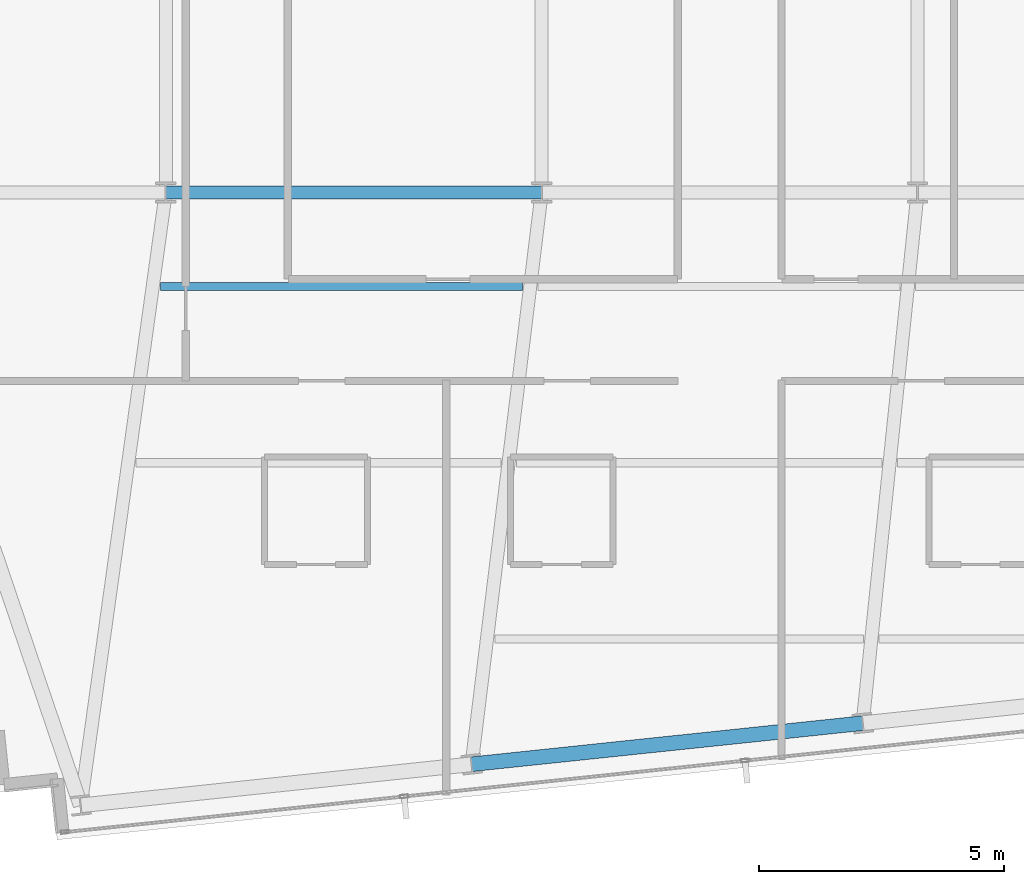
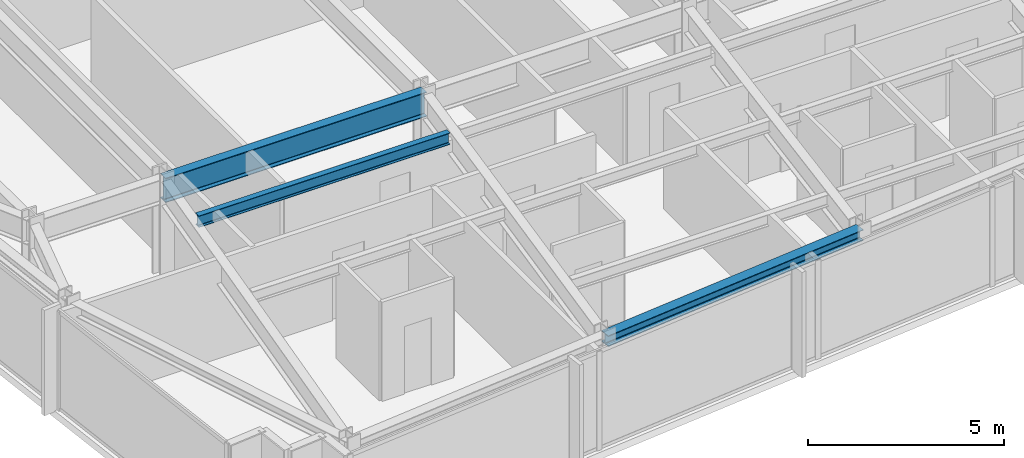
# One storey, part 6 of 33: 3 beams.
"""IFC4 building model written with IfcOpenShell, lengths in metres."""

import ifcopenshell
import ifcopenshell.guid

model = None  # the IFC model being written
_history = None  # IfcOwnerHistory: only IFC2X3 demands one
_inside = {}  # id of a spatial element -> (the spatial element, [elements in it])
_under = {}  # id of a project, library or spatial element -> (it, [spatial elements below it])
_declared = {}  # id of a project -> (the project, [libraries it declares])
_typed = {}  # id of a type object -> (the type object, [elements of that type])
_made_of = {}  # id of a material, layer set ... -> (it, [elements and type objects made of it])


def new_model(schema):
    """Start an empty IFC model of exactly this schema.

    Asked for "IFC4X3", IfcOpenShell would pick the latest addendum, in which some entities
    have other attributes; the version numbers below select the first issue.
    IFC2X3 requires an IfcOwnerHistory on every rooted entity: one is made here for all.
    """
    global model, _history
    if schema == "IFC4X3":
        model = ifcopenshell.file(schema_version=(4, 3, 0, 0))
    else:
        model = ifcopenshell.file(schema=schema)
    _inside.clear()
    _under.clear()
    _declared.clear()
    _typed.clear()
    _made_of.clear()
    _history = None
    if model.schema == "IFC2X3":
        org = make("IfcOrganization", Name="unknown")
        user = make(
            "IfcPersonAndOrganization",
            ThePerson=make("IfcPerson", FamilyName="unknown"),
            TheOrganization=org,
        )
        app = make(
            "IfcApplication",
            ApplicationDeveloper=org,
            Version="unknown",
            ApplicationFullName="unknown",
            ApplicationIdentifier="unknown",
        )
        _history = make(
            "IfcOwnerHistory",
            OwningUser=user,
            OwningApplication=app,
            ChangeAction="ADDED",
            CreationDate=0,
        )
    return model


def make(cls, **values):
    """One entity of the class cls with the attributes given. An attribute that is None is left unset."""
    return model.create_entity(
        cls, **{name: value for name, value in values.items() if value is not None}
    )


def rooted(cls, **values):
    """An entity with a GlobalId (a new one), such as an element, a storey or a relation."""
    return make(cls, GlobalId=ifcopenshell.guid.new(), OwnerHistory=_history, **values)


def si_unit(unit_type, name, prefix=None):
    """IfcSIUnit, for example si_unit("LENGTHUNIT", "METRE", prefix="MILLI")."""
    return make("IfcSIUnit", UnitType=unit_type, Prefix=prefix, Name=name)


def assignment(units):
    """IfcUnitAssignment: the units of a project."""
    return None if units is None else make("IfcUnitAssignment", Units=units)


def point(xyz):
    """IfcCartesianPoint."""
    return None if xyz is None else make("IfcCartesianPoint", Coordinates=xyz)


def direction(xyz):
    """IfcDirection."""
    return None if xyz is None else make("IfcDirection", DirectionRatios=xyz)


def frame(location, z_axis=None, x_axis=None):
    """IfcAxis2Placement3D, a coordinate frame: its origin and axes. An axis left out is left unset."""
    return make(
        "IfcAxis2Placement3D",
        Location=point(location),
        Axis=direction(z_axis),
        RefDirection=direction(x_axis),
    )


def frame_2d(location, x_axis=None):
    """IfcAxis2Placement2D, a coordinate frame in the plane: its origin and x axis."""
    return make(
        "IfcAxis2Placement2D", Location=point(location), RefDirection=direction(x_axis)
    )


def origin():
    """The frame at (0, 0, 0) with its axes left unset."""
    return frame((0.0, 0.0, 0.0))


def origin_2d():
    """The frame at (0, 0) in the plane with its x axis left unset."""
    return frame_2d((0.0, 0.0))


def place(relative_to, where):
    """IfcLocalPlacement: puts the frame where relative to a parent placement (None: the world)."""
    return make(
        "IfcLocalPlacement", PlacementRelTo=relative_to, RelativePlacement=where
    )


def context(
    kind, dimensions, precision=None, world=None, true_north=None, identifier=None
):
    """IfcGeometricRepresentationContext, for example the 3D "Model" context."""
    return make(
        "IfcGeometricRepresentationContext",
        ContextIdentifier=identifier,
        ContextType=kind,
        CoordinateSpaceDimension=dimensions,
        Precision=precision,
        WorldCoordinateSystem=world,
        TrueNorth=true_north,
    )


def subcontext(parent, identifier, kind, view, scale=None):
    """IfcGeometricRepresentationSubContext, for example "Body" below "Model"."""
    return make(
        "IfcGeometricRepresentationSubContext",
        ContextIdentifier=identifier,
        ContextType=kind,
        ParentContext=parent,
        TargetScale=scale,
        TargetView=view,
    )


def project(units=None, contexts=None):
    """IfcProject with its units and contexts."""
    return rooted(
        "IfcProject",
        Name="project",
        RepresentationContexts=contexts,
        UnitsInContext=assignment(units),
    )


def spatial(cls, under=None, at=None, **own):
    """A site, building, storey or space (cls), placed at a placement, below another one or the project."""
    s = rooted(cls, ObjectPlacement=at, **own)
    if under is not None:
        _under.setdefault(under.id(), (under, []))[1].append(s)
    return s


def profile(cls, at=None, kind="AREA", **sizes):
    """A parametric profile (cls). Its sizes go by their IFC names, for example OverallWidth=200.0."""
    return make(cls, ProfileType=kind, Position=at, **sizes)


def i_section(**sizes):
    """IfcIShapeProfileDef."""
    return profile("IfcIShapeProfileDef", **sizes)


def extrude(swept, where, along, depth):
    """IfcExtrudedAreaSolid: the profile swept, set in the frame where, extruded along a direction by depth."""
    return make(
        "IfcExtrudedAreaSolid",
        SweptArea=swept,
        Position=where,
        ExtrudedDirection=direction(along),
        Depth=depth,
    )


def shape(context_of_items, identifier, shape_type, items):
    """IfcShapeRepresentation: the items that make up one representation, for example the "Body"."""
    return make(
        "IfcShapeRepresentation",
        ContextOfItems=context_of_items,
        RepresentationIdentifier=identifier,
        RepresentationType=shape_type,
        Items=items,
    )


def material(Name=None, Category=None):
    """IfcMaterial."""
    return make("IfcMaterial", Name=Name, Category=Category)


def material_profile(
    of_material, cross_section, Name=None, Category=None, Priority=None
):
    """IfcMaterialProfile: a cross section and its material."""
    return make(
        "IfcMaterialProfile",
        Name=Name,
        Material=of_material,
        Profile=cross_section,
        Priority=Priority,
        Category=Category,
    )


def profile_set(profiles, Name=None, composite=None):
    """IfcMaterialProfileSet."""
    return make(
        "IfcMaterialProfileSet",
        Name=Name,
        MaterialProfiles=profiles,
        CompositeProfile=composite,
    )


def made_of(thing, what):
    """Note that an element or type object is made of a material, layer set ...; save() writes the relation."""
    if what is not None:
        _made_of.setdefault(what.id(), (what, []))[1].append(thing)
    return thing


def type_object(cls, material=None, **own):
    """A type object (cls), such as IfcWallType, which elements share."""
    return made_of(rooted(cls, **own), material)


def element(
    cls,
    number,
    at=None,
    inside=None,
    cuts=None,
    type_object=None,
    material=None,
    context=None,
    identifier="Body",
    shape_type=None,
    held_by="IfcProductDefinitionShape",
    body=None,
    shapes=None,
    **own,
):
    """One element of the class cls, such as IfcWall. Its Tag is "e" and its number.

    at: its placement. inside: the storey or other place that contains it. cuts: it is an
    opening in that element (IfcRelVoidsElement). A single representation is given by context,
    identifier, shape_type and body (its items); several are given by shapes. held_by: the class
    of the entity that holds the representations. save() writes the other relations.
    """
    e = rooted(cls, Tag="e%d" % number, ObjectPlacement=at, **own)
    if body is not None:
        shapes = [shape(context, identifier, shape_type, body)]
    if shapes is not None:
        e.Representation = make(held_by, Representations=shapes)
    if inside is not None:
        _inside.setdefault(inside.id(), (inside, []))[1].append(e)
    if cuts is not None:
        rooted(
            "IfcRelVoidsElement", RelatingBuildingElement=cuts, RelatedOpeningElement=e
        )
    if type_object is not None:
        _typed.setdefault(type_object.id(), (type_object, []))[1].append(e)
    return made_of(e, material)


def aggregate(whole, parts):
    """IfcRelAggregates: a whole, such as a stair, and the parts it consists of."""
    return rooted("IfcRelAggregates", RelatingObject=whole, RelatedObjects=parts)


def save(model, path):
    """Write the relations noted so far, then the file.

    IfcRelAggregates (storeys below a building ...), IfcRelContainedInSpatialStructure (elements
    in a storey), IfcRelDefinesByType, IfcRelAssociatesMaterial and IfcRelDeclares: one each for
    every whole, place, type object, material and project.
    """
    for whole, parts in _under.values():
        aggregate(whole, parts)
    for where, things in _inside.values():
        rooted(
            "IfcRelContainedInSpatialStructure",
            RelatedElements=things,
            RelatingStructure=where,
        )
    for kind, things in _typed.values():
        rooted("IfcRelDefinesByType", RelatedObjects=things, RelatingType=kind)
    for what, things in _made_of.values():
        rooted("IfcRelAssociatesMaterial", RelatedObjects=things, RelatingMaterial=what)
    for by, libraries in _declared.values():
        rooted("IfcRelDeclares", RelatingContext=by, RelatedDefinitions=libraries)
    model.write(path)


model = new_model("IFC4")

# Units and contexts
model_context = context("Model", 3, precision=1e-05, world=origin(), true_north=direction((0.0, 1.0)))
body_context = subcontext(model_context, "Body", "Model", "MODEL_VIEW")
ifc_project = project(units=[si_unit("LENGTHUNIT", "METRE"), si_unit("AREAUNIT", "SQUARE_METRE"), si_unit("VOLUMEUNIT", "CUBIC_METRE"), si_unit("PLANEANGLEUNIT", "RADIAN"), si_unit("MASSUNIT", "GRAM", prefix="KILO")], contexts=[model_context])

# Site, building, storey
site_placement = place(None, origin())
site = spatial("IfcSite", under=ifc_project, at=site_placement, CompositionType="ELEMENT")
building_placement = place(site_placement, origin())
building = spatial("IfcBuilding", under=site, at=building_placement, Name="Yelkora Congress Tower", CompositionType="ELEMENT")
storey_placement = place(building_placement, frame((0.0, 0.0, 230.89990234375)))
storey = spatial("IfcBuildingStorey", under=building, at=storey_placement, Name="L64", CompositionType="ELEMENT", Elevation=230.89990234375)

# Beams
ifc_material = material(Name="Steel S355J2", Category="steel")
ifc_material_profile_1 = material_profile(ifc_material, i_section(OverallWidth=0.26708984375, OverallDepth=0.761962890625, WebThickness=0.014404296875, FlangeThickness=0.021484375, FilletRadius=0.01708984375, at=origin_2d()), Name="IPE 750x173")
ifc_profile_set_1 = profile_set([ifc_material_profile_1], Name="Steel S355J2")
beam_type_1 = type_object("IfcBeamType", Name="BM-GIRD-IPE750", PredefinedType="BEAM", material=ifc_profile_set_1)
beam_1_placement = place(storey_placement, frame((23.0400390625, 25.199951171875, 2.69921875), z_axis=(1.0, 0.0, 0.0), x_axis=(0.0, 1.0, 0.0)))
element("IfcBeam", 1, at=beam_1_placement, inside=storey, type_object=beam_type_1, Name="L64 Spine Grid D Girder 2", PredefinedType="BEAM", context=body_context, shape_type="SweptSolid", body=[
    extrude(i_section(OverallWidth=0.26708984375, OverallDepth=0.761962890625, WebThickness=0.014404296875, FlangeThickness=0.021484375, FilletRadius=0.01708984375, at=origin_2d()), origin(), (0.0, 0.0, 1.0), 7.679931640625),
])
ifc_material_profile_2 = material_profile(ifc_material, i_section(OverallWidth=0.169921875, OverallDepth=0.360107421875, WebThickness=0.008056640625, FlangeThickness=0.0126953125, FilletRadius=0.01806640625, at=origin_2d()), Name="IPE 360")
ifc_profile_set_2 = profile_set([ifc_material_profile_2], Name="Steel S355J2")
beam_type_2 = type_object("IfcBeamType", Name="BM-JOIST-IPE360", PredefinedType="JOIST", material=ifc_profile_set_2)
beam_2_placement = place(storey_placement, frame((22.932861328125, 23.278564453125, 2.900146484375), z_axis=(1.0, 0.0, 0.0), x_axis=(0.0, 1.0, 0.0)))
element("IfcBeam", 2, at=beam_2_placement, inside=storey, type_object=beam_type_2, Name="L64 Composite Floor Joist 9", PredefinedType="JOIST", context=body_context, shape_type="SweptSolid", body=[
    extrude(i_section(OverallWidth=0.169921875, OverallDepth=0.360107421875, WebThickness=0.008056640625, FlangeThickness=0.0126953125, FilletRadius=0.01806640625, at=origin_2d()), origin(), (0.0, 0.0, 1.0), 7.3916015625),
])
ifc_material_profile_3 = material_profile(ifc_material, i_section(OverallWidth=0.300048828125, OverallDepth=0.340087890625, WebThickness=0.011962890625, FlangeThickness=0.021484375, FilletRadius=0.027099609375, at=origin_2d()), Name="HEB 340")
ifc_profile_set_3 = profile_set([ifc_material_profile_3], Name="Steel S355J2")
beam_type_3 = type_object("IfcBeamType", Name="BM-SPAN-HEB340", PredefinedType="SPANDREL", material=ifc_profile_set_3)
beam_3_placement = place(storey_placement, frame((29.288330078125, 13.518310546875, 2.91015625), z_axis=(0.994523256947, 0.104515507904, 0.0), x_axis=(-0.104515507904, 0.994523256947, 0.0)))
element("IfcBeam", 3, at=beam_3_placement, inside=storey, type_object=beam_type_3, Name="L64 Perimeter Beam 4", PredefinedType="SPANDREL", context=body_context, shape_type="SweptSolid", body=[
    extrude(i_section(OverallWidth=0.300048828125, OverallDepth=0.340087890625, WebThickness=0.011962890625, FlangeThickness=0.021484375, FilletRadius=0.027099609375, at=origin_2d()), origin(), (0.0, 0.0, 1.0), 8.033203125),
])

save(model, "model.ifc")
